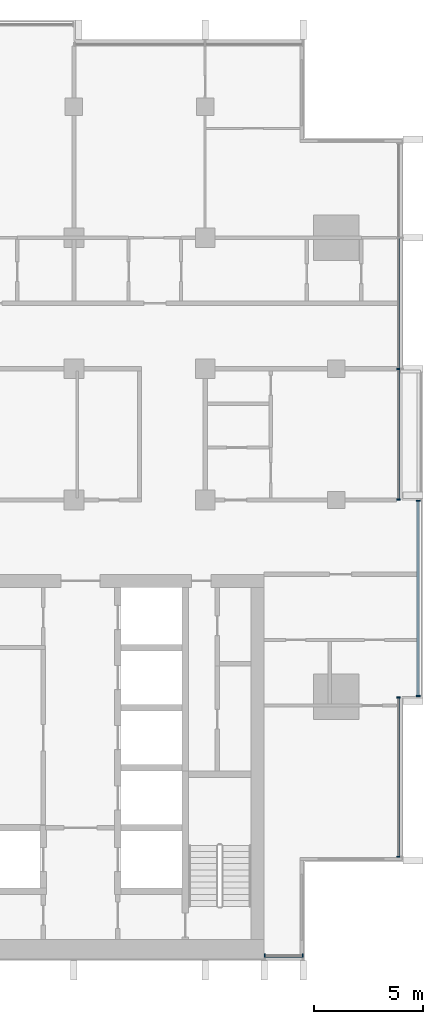
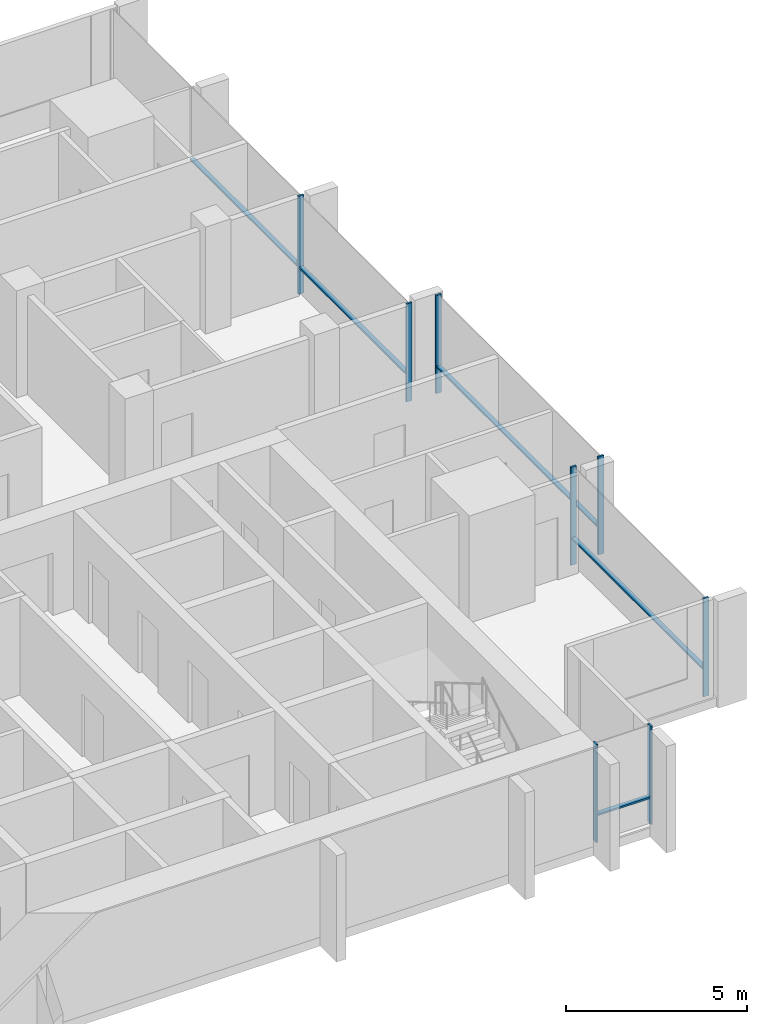
# One storey, part 3 of 16: 13 members, 4 elements without a shape of their own.
"""IFC4 building model written with IfcOpenShell, lengths in metres."""

from ifc_helpers import new_model, si_unit, direction, frame, origin, origin_2d, place, context, subcontext, project, spatial, rectangle, extrude, material, material_profile, profile_set, type_object, element, aggregate, save


model = new_model("IFC4")

# Units and contexts
model_context = context("Model", 3, precision=1e-05, world=origin(), true_north=direction((0.0, 1.0)))
body_context = subcontext(model_context, "Body", "Model", "MODEL_VIEW")
ifc_project = project(units=[si_unit("LENGTHUNIT", "METRE"), si_unit("AREAUNIT", "SQUARE_METRE"), si_unit("VOLUMEUNIT", "CUBIC_METRE"), si_unit("PLANEANGLEUNIT", "RADIAN"), si_unit("MASSUNIT", "GRAM", prefix="KILO")], contexts=[model_context])

# Site, building, storey
site_placement = place(None, origin())
site = spatial("IfcSite", under=ifc_project, at=site_placement, CompositionType="ELEMENT")
building_placement = place(site_placement, origin())
building = spatial("IfcBuilding", under=site, at=building_placement, Name="Finial Court Residences", CompositionType="ELEMENT")
storey_placement = place(building_placement, frame((0.0, 0.0, 215.89990234375)))
storey = spatial("IfcBuildingStorey", under=building, at=storey_placement, Name="L54", CompositionType="ELEMENT", Elevation=215.89990234375)

# Curtain wall, members
ifc_material = material(Name="Bronze anodised aluminium", Category="aluminium")
curtain_wall_type = type_object("IfcCurtainWallType", Name="Unitised curtain wall, upper zones", PredefinedType="NOTDEFINED", material=ifc_material)
curtain_wall_1_placement = place(storey_placement, origin())
curtain_wall_1 = element("IfcCurtainWall", 1, at=curtain_wall_1_placement, inside=storey, type_object=curtain_wall_type, Name="E-L54-CW-E4", PredefinedType="NOTDEFINED")
ifc_material_profile_1 = material_profile(ifc_material, rectangle(XDim=0.175048828125, YDim=0.06005859375, at=origin_2d()), Name="CW2 mullion 60 x 175")
ifc_profile_set_1 = profile_set([ifc_material_profile_1], Name="Bronze anodised aluminium")
member_type_1 = type_object("IfcMemberType", Name="CW2 mullion 60 x 175", PredefinedType="MULLION", material=ifc_profile_set_1)
member_1_placement = place(storey_placement, frame((19.35009765625, -20.820068359375, 0.0), z_axis=(0.0, 0.0, 1.0), x_axis=(-1.0, 0.0, 0.0)))
member_1 = element("IfcMember", 2, at=member_1_placement, type_object=member_type_1, Name="CW2 mullion 1", PredefinedType="MULLION", context=body_context, shape_type="SweptSolid", body=[
    extrude(rectangle(XDim=0.175048828125, YDim=0.06005859375, at=origin_2d()), origin(), (0.0, 0.0, 1.0), 3.300048828125),
])
member_2_placement = place(storey_placement, frame((19.35009765625, -13.530029296875, 0.0), z_axis=(0.0, 0.0, 1.0), x_axis=(-1.0, 0.0, 0.0)))
member_2 = element("IfcMember", 3, at=member_2_placement, type_object=member_type_1, Name="CW2 mullion 2", PredefinedType="MULLION", context=body_context, shape_type="SweptSolid", body=[
    extrude(rectangle(XDim=0.175048828125, YDim=0.06005859375, at=origin_2d()), origin(), (0.0, 0.0, 1.0), 3.300048828125),
])

curtain_wall_2_placement = place(storey_placement, origin())
curtain_wall_2 = element("IfcCurtainWall", 4, at=curtain_wall_2_placement, inside=storey, type_object=curtain_wall_type, Name="E-L54-CW-E5", PredefinedType="NOTDEFINED")
member_3_placement = place(storey_placement, frame((20.25, -13.469970703125, 0.0), z_axis=(0.0, 0.0, 1.0), x_axis=(-1.0, 0.0, 0.0)))
member_3 = element("IfcMember", 5, at=member_3_placement, type_object=member_type_1, Name="CW2 mullion 1", PredefinedType="MULLION", context=body_context, shape_type="SweptSolid", body=[
    extrude(rectangle(XDim=0.175048828125, YDim=0.06005859375, at=origin_2d()), origin(), (0.0, 0.0, 1.0), 3.300048828125),
])
member_4_placement = place(storey_placement, frame((20.25, -4.530029296875, 0.0), z_axis=(0.0, 0.0, 1.0), x_axis=(-1.0, 0.0, 0.0)))
member_4 = element("IfcMember", 6, at=member_4_placement, type_object=member_type_1, Name="CW2 mullion 2", PredefinedType="MULLION", context=body_context, shape_type="SweptSolid", body=[
    extrude(rectangle(XDim=0.175048828125, YDim=0.06005859375, at=origin_2d()), origin(), (0.0, 0.0, 1.0), 3.300048828125),
])

curtain_wall_3_placement = place(storey_placement, origin())
curtain_wall_3 = element("IfcCurtainWall", 7, at=curtain_wall_3_placement, inside=storey, type_object=curtain_wall_type, Name="E-L54-CW-E6", PredefinedType="NOTDEFINED")
member_5_placement = place(storey_placement, frame((19.35009765625, -4.469970703125, 0.0), z_axis=(0.0, 0.0, 1.0), x_axis=(-1.0, 0.0, 0.0)))
member_5 = element("IfcMember", 8, at=member_5_placement, type_object=member_type_1, Name="CW2 mullion 1", PredefinedType="MULLION", context=body_context, shape_type="SweptSolid", body=[
    extrude(rectangle(XDim=0.175048828125, YDim=0.06005859375, at=origin_2d()), origin(), (0.0, 0.0, 1.0), 3.300048828125),
])
member_6_placement = place(storey_placement, frame((19.35009765625, 1.5, 0.0), z_axis=(0.0, 0.0, 1.0), x_axis=(-1.0, 0.0, 0.0)))
member_6 = element("IfcMember", 9, at=member_6_placement, type_object=member_type_1, Name="CW2 mullion 2", PredefinedType="MULLION", context=body_context, shape_type="SweptSolid", body=[
    extrude(rectangle(XDim=0.175048828125, YDim=0.06005859375, at=origin_2d()), origin(), (0.0, 0.0, 1.0), 3.300048828125),
])

curtain_wall_4_placement = place(storey_placement, origin())
curtain_wall_4 = element("IfcCurtainWall", 10, at=curtain_wall_4_placement, inside=storey, type_object=curtain_wall_type, Name="E-L54-CW-S8", PredefinedType="NOTDEFINED")
member_7_placement = place(storey_placement, frame((13.22998046875, -25.35009765625, 0.0), z_axis=(0.0, 0.0, 1.0), x_axis=(0.0, 1.0, 0.0)))
member_7 = element("IfcMember", 11, at=member_7_placement, type_object=member_type_1, Name="CW2 mullion 1", PredefinedType="MULLION", context=body_context, shape_type="SweptSolid", body=[
    extrude(rectangle(XDim=0.175048828125, YDim=0.06005859375, at=origin_2d()), origin(), (0.0, 0.0, 1.0), 3.300048828125),
])
member_8_placement = place(storey_placement, frame((14.969970703125, -25.35009765625, 0.0), z_axis=(0.0, 0.0, 1.0), x_axis=(0.0, 1.0, 0.0)))
member_8 = element("IfcMember", 12, at=member_8_placement, type_object=member_type_1, Name="CW2 mullion 2", PredefinedType="MULLION", context=body_context, shape_type="SweptSolid", body=[
    extrude(rectangle(XDim=0.175048828125, YDim=0.06005859375, at=origin_2d()), origin(), (0.0, 0.0, 1.0), 3.300048828125),
])

# Member
ifc_material_profile_2 = material_profile(ifc_material, rectangle(XDim=0.139892578125, YDim=0.06005859375, at=origin_2d()), Name="CW2 transom 60 x 140")
ifc_profile_set_2 = profile_set([ifc_material_profile_2], Name="Bronze anodised aluminium")
member_type_2 = type_object("IfcMemberType", Name="CW2 transom 60 x 140", PredefinedType="USERDEFINED", material=ifc_profile_set_2)
member_9_placement = place(storey_placement, frame((19.35009765625, -20.7900390625, 0.900146484375), z_axis=(0.0, 1.0, 0.0), x_axis=(-1.0, 0.0, 0.0)))
member_9 = element("IfcMember", 13, at=member_9_placement, type_object=member_type_2, Name="CW2 transom 1.1", ObjectType="TRANSOM", PredefinedType="USERDEFINED", context=body_context, shape_type="SweptSolid", body=[
    extrude(rectangle(XDim=0.139892578125, YDim=0.06005859375, at=origin_2d()), origin(), (0.0, 0.0, 1.0), 7.22998046875),
])

aggregate(curtain_wall_1, [member_1, member_2, member_9])

member_10_placement = place(storey_placement, frame((20.25, -13.43994140625, 0.900146484375), z_axis=(0.0, 1.0, 0.0), x_axis=(-1.0, 0.0, 0.0)))
member_10 = element("IfcMember", 14, at=member_10_placement, type_object=member_type_2, Name="CW2 transom 1.1", ObjectType="TRANSOM", PredefinedType="USERDEFINED", context=body_context, shape_type="SweptSolid", body=[
    extrude(rectangle(XDim=0.139892578125, YDim=0.06005859375, at=origin_2d()), origin(), (0.0, 0.0, 1.0), 8.8798828125),
])

aggregate(curtain_wall_2, [member_3, member_4, member_10])

member_11_placement = place(storey_placement, frame((19.35009765625, -4.43994140625, 0.900146484375), z_axis=(0.0, 1.0, 0.0), x_axis=(-1.0, 0.0, 0.0)))
member_11 = element("IfcMember", 15, at=member_11_placement, type_object=member_type_2, Name="CW2 transom 1.1", ObjectType="TRANSOM", PredefinedType="USERDEFINED", context=body_context, shape_type="SweptSolid", body=[
    extrude(rectangle(XDim=0.139892578125, YDim=0.06005859375, at=origin_2d()), origin(), (0.0, 0.0, 1.0), 5.909912109375),
])

member_12_placement = place(storey_placement, frame((19.35009765625, 1.530029296875, 0.900146484375), z_axis=(0.0, 1.0, 0.0), x_axis=(-1.0, 0.0, 0.0)))
member_12 = element("IfcMember", 16, at=member_12_placement, type_object=member_type_2, Name="CW2 transom 2.1", ObjectType="TRANSOM", PredefinedType="USERDEFINED", context=body_context, shape_type="SweptSolid", body=[
    extrude(rectangle(XDim=0.139892578125, YDim=0.06005859375, at=origin_2d()), origin(), (0.0, 0.0, 1.0), 5.93994140625),
])

aggregate(curtain_wall_3, [member_5, member_6, member_11, member_12])

member_13_placement = place(storey_placement, frame((13.260009765625, -25.35009765625, 0.900146484375), z_axis=(1.0, 0.0, 0.0), x_axis=(0.0, 1.0, 0.0)))
member_13 = element("IfcMember", 17, at=member_13_placement, type_object=member_type_2, Name="CW2 transom 1.1", ObjectType="TRANSOM", PredefinedType="USERDEFINED", context=body_context, shape_type="SweptSolid", body=[
    extrude(rectangle(XDim=0.139892578125, YDim=0.06005859375, at=origin_2d()), origin(), (0.0, 0.0, 1.0), 1.679931640625),
])

aggregate(curtain_wall_4, [member_7, member_8, member_13])

save(model, "model.ifc")
